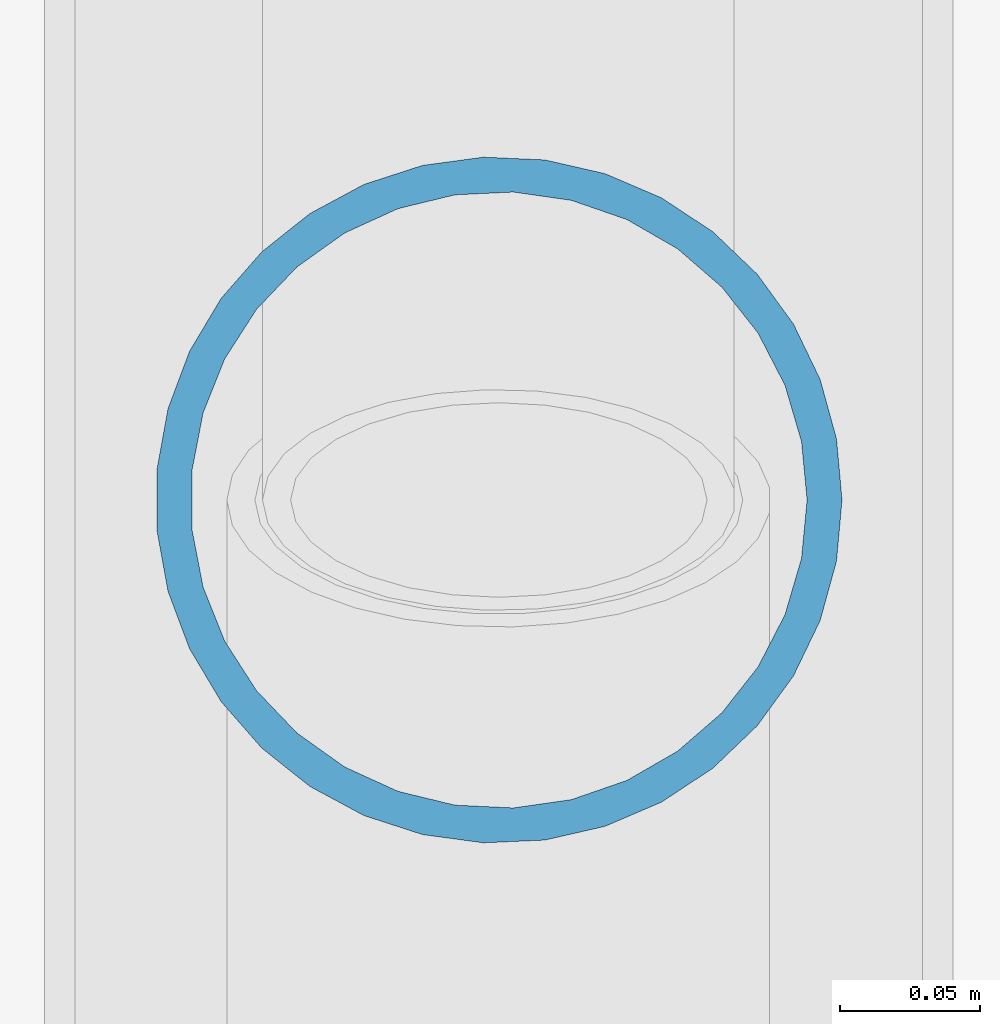
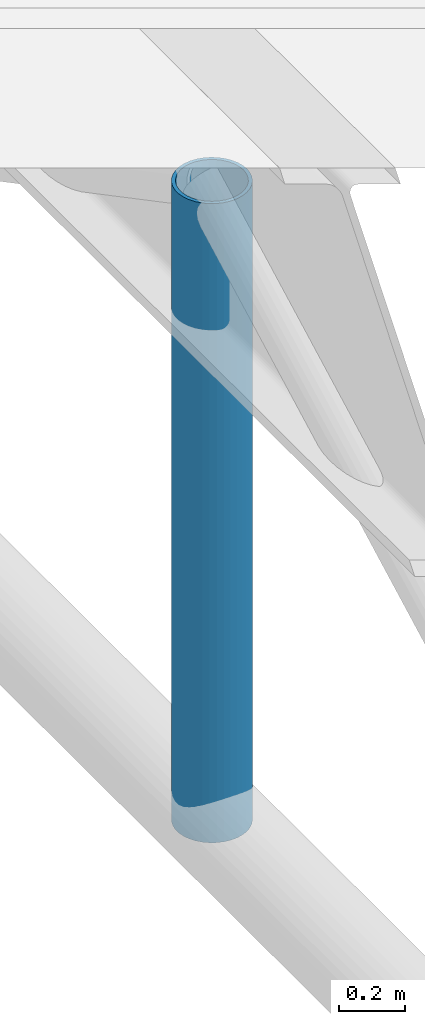
# One storey, part 52 of 196: 1 member.
"""IFC4 building model written with IfcOpenShell, lengths in metres."""

from ifc_helpers import new_model, si_unit, direction, frame, origin, origin_2d, place, context, subcontext, project, spatial, hollow_circle, extrude, material, material_profile, profile_set, type_object, element, save


model = new_model("IFC4")

# Units and contexts
model_context = context("Model", 3, precision=1e-05, world=origin(), true_north=direction((0.0, 1.0)))
body_context = subcontext(model_context, "Body", "Model", "MODEL_VIEW")
ifc_project = project(units=[si_unit("LENGTHUNIT", "METRE"), si_unit("AREAUNIT", "SQUARE_METRE"), si_unit("VOLUMEUNIT", "CUBIC_METRE"), si_unit("PLANEANGLEUNIT", "RADIAN"), si_unit("MASSUNIT", "GRAM", prefix="KILO")], contexts=[model_context])

# Site, building, storey
site_placement = place(None, origin())
site = spatial("IfcSite", under=ifc_project, at=site_placement, CompositionType="ELEMENT")
building_placement = place(site_placement, origin())
building = spatial("IfcBuilding", under=site, at=building_placement, Name="Barlavento Convention Centre", CompositionType="ELEMENT")
storey_placement = place(building_placement, frame((0.0, 0.0, 18.0)))
storey = spatial("IfcBuildingStorey", under=building, at=storey_placement, Name="L03", CompositionType="ELEMENT", Elevation=18.0)

# Member
ifc_material = material(Name="Steel S355", Category="steel")
ifc_material_profile = material_profile(ifc_material, hollow_circle(Radius=0.122314453125, WallThickness=0.012451171875, at=origin_2d()), Name="CHS 244.5x12.5")
ifc_profile_set = profile_set([ifc_material_profile], Name="Steel S355")
member_type = type_object("IfcMemberType", Name="STR-MEM-STRUT-CHS244", PredefinedType="STRUT", material=ifc_profile_set)
member_placement = place(storey_placement, frame((18.0, 94.5, -3.199951171875), z_axis=(0.0, 0.0, 1.0), x_axis=(1.0, 0.0, 0.0)))
element("IfcMember", 1, at=member_placement, inside=storey, type_object=member_type, Name="Exhibition space frame vertical strut", PredefinedType="STRUT", context=body_context, shape_type="SweptSolid", body=[
    extrude(hollow_circle(Radius=0.122314453125, WallThickness=0.012451171875, at=origin_2d()), origin(), (0.0, 0.0, 1.0), 2.350830078125),
])

save(model, "model.ifc")
